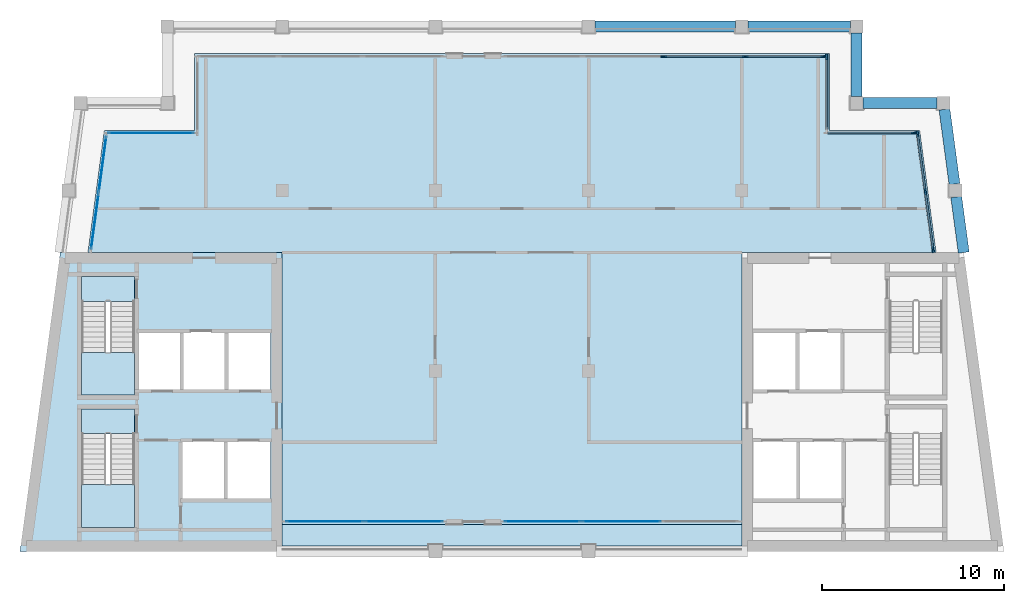
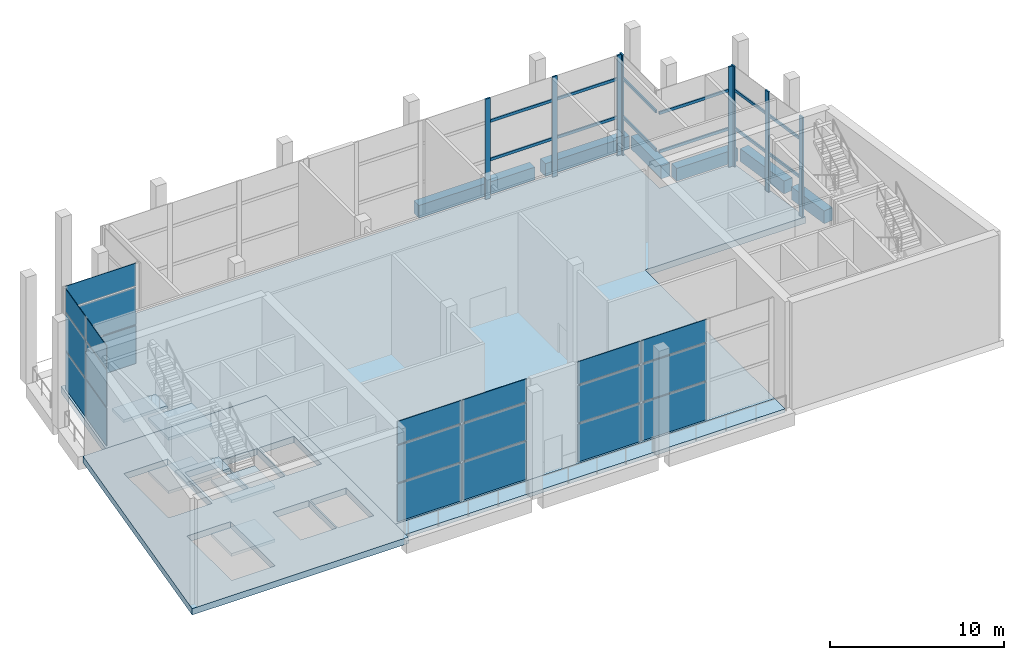
# One storey, part 2 of 9: 21 plates, 20 members, 9 slabs, 6 beams, 10 elements without a shape of their own.
"""IFC4 building model written with IfcOpenShell, lengths in metres."""

from ifc_helpers import new_model, si_unit, direction, frame, origin, origin_2d, place, context, subcontext, project, spatial, polyline, rectangle, outline, extrude, material, layer, layer_set, material_profile, profile_set, type_object, element, aggregate, save


model = new_model("IFC4")

# Units and contexts
model_context = context("Model", 3, precision=1e-05, world=origin(), true_north=direction((0.0, 1.0)))
body_context = subcontext(model_context, "Body", "Model", "MODEL_VIEW")
ifc_project = project(units=[si_unit("LENGTHUNIT", "METRE"), si_unit("AREAUNIT", "SQUARE_METRE"), si_unit("VOLUMEUNIT", "CUBIC_METRE"), si_unit("PLANEANGLEUNIT", "RADIAN"), si_unit("MASSUNIT", "GRAM", prefix="KILO")], contexts=[model_context])

# Site, building, storey
site_placement = place(None, origin())
site = spatial("IfcSite", under=ifc_project, at=site_placement, CompositionType="ELEMENT")
building_placement = place(site_placement, origin())
building = spatial("IfcBuilding", under=site, at=building_placement, Name="Candeia Pilgrim Tower and Theatre", CompositionType="ELEMENT")
storey_placement = place(building_placement, frame((0.0, 0.0, 307.89990234375)))
storey = spatial("IfcBuildingStorey", under=building, at=storey_placement, Name="L75", CompositionType="ELEMENT", Elevation=307.89990234375)

# Curtain wall, members
ifc_material_1 = material(Name="Aluminium framed observation glazing", Category="aluminium")
curtain_wall_type = type_object("IfcCurtainWallType", Name="CW-C curtain wall", PredefinedType="NOTDEFINED", material=ifc_material_1)
curtain_wall_1_placement = place(storey_placement, origin())
curtain_wall_1 = element("IfcCurtainWall", 1, at=curtain_wall_1_placement, inside=storey, type_object=curtain_wall_type, Name="Curtain wall CW-C L75.200", PredefinedType="NOTDEFINED")
ifc_material_2 = material(Name="Anodised aluminium", Category="aluminium")
ifc_material_profile_1 = material_profile(ifc_material_2, rectangle(XDim=0.10009765625, YDim=0.320068359375, at=origin_2d()))
ifc_profile_set_1 = profile_set([ifc_material_profile_1], Name="Anodised aluminium")
member_type_1 = type_object("IfcMemberType", Name="CW-C mullion 100x320", PredefinedType="MULLION", material=ifc_profile_set_1)
member_1_placement = place(storey_placement, frame((136.48291015625, 132.55859375, 0.0), z_axis=(0.0, 0.0, 1.0), x_axis=(-0.991060661622, -0.133412012145, 0.0)))
member_1 = element("IfcMember", 2, at=member_1_placement, type_object=member_type_1, Name="CW-C mullion 1", PredefinedType="MULLION", context=body_context, shape_type="SweptSolid", body=[
    extrude(rectangle(XDim=0.10009765625, YDim=0.320068359375, at=origin_2d()), origin(), (0.0, 0.0, 1.0), 7.050048828125),
])
member_2_placement = place(storey_placement, frame((136.0546875, 135.739990234375, 0.0), z_axis=(0.0, 0.0, 1.0), x_axis=(-0.991060661622, -0.133412012145, 0.0)))
member_2 = element("IfcMember", 3, at=member_2_placement, type_object=member_type_1, Name="CW-C mullion 2", PredefinedType="MULLION", context=body_context, shape_type="SweptSolid", body=[
    extrude(rectangle(XDim=0.10009765625, YDim=0.320068359375, at=origin_2d()), origin(), (0.0, 0.0, 1.0), 7.050048828125),
])
member_3_placement = place(storey_placement, frame((135.62646484375, 138.92138671875, 0.0), z_axis=(0.0, 0.0, 1.0), x_axis=(-0.991060661622, -0.133412012145, 0.0)))
member_3 = element("IfcMember", 4, at=member_3_placement, type_object=member_type_1, Name="CW-C mullion 3", PredefinedType="MULLION", context=body_context, shape_type="SweptSolid", body=[
    extrude(rectangle(XDim=0.10009765625, YDim=0.320068359375, at=origin_2d()), origin(), (0.0, 0.0, 1.0), 7.050048828125),
])

# Curtain wall, member
curtain_wall_2_placement = place(storey_placement, origin())
curtain_wall_2 = element("IfcCurtainWall", 5, at=curtain_wall_2_placement, inside=storey, type_object=curtain_wall_type, Name="Curtain wall CW-C L75.300", PredefinedType="NOTDEFINED")
member_4_placement = place(storey_placement, frame((135.462646484375, 138.949951171875, 0.0), z_axis=(0.0, 0.0, 1.0), x_axis=(0.0, -1.0, 0.0)))
member_4 = element("IfcMember", 6, at=member_4_placement, type_object=member_type_1, Name="CW-C mullion 1", PredefinedType="MULLION", context=body_context, shape_type="SweptSolid", body=[
    extrude(rectangle(XDim=0.10009765625, YDim=0.320068359375, at=origin_2d()), origin(), (0.0, 0.0, 1.0), 7.050048828125),
])

curtain_wall_3_placement = place(storey_placement, origin())
curtain_wall_3 = element("IfcCurtainWall", 7, at=curtain_wall_3_placement, inside=storey, type_object=curtain_wall_type, Name="Curtain wall CW-C L75.400", PredefinedType="NOTDEFINED")
member_5_placement = place(storey_placement, frame((130.64990234375, 143.139892578125, 0.0), z_axis=(0.0, 0.0, 1.0), x_axis=(-1.0, 0.0, 0.0)))
member_5 = element("IfcMember", 8, at=member_5_placement, type_object=member_type_1, Name="CW-C mullion 2", PredefinedType="MULLION", context=body_context, shape_type="SweptSolid", body=[
    extrude(rectangle(XDim=0.10009765625, YDim=0.320068359375, at=origin_2d()), origin(), (0.0, 0.0, 1.0), 7.050048828125),
])

# Curtain wall, members
curtain_wall_4_placement = place(storey_placement, origin())
curtain_wall_4 = element("IfcCurtainWall", 9, at=curtain_wall_4_placement, inside=storey, type_object=curtain_wall_type, Name="Curtain wall CW-C L75.500", PredefinedType="NOTDEFINED")
member_6_placement = place(storey_placement, frame((130.489990234375, 143.14990234375, 0.0), z_axis=(0.0, 0.0, 1.0), x_axis=(0.0, -1.0, 0.0)))
member_6 = element("IfcMember", 10, at=member_6_placement, type_object=member_type_1, Name="CW-C mullion 1", PredefinedType="MULLION", context=body_context, shape_type="SweptSolid", body=[
    extrude(rectangle(XDim=0.10009765625, YDim=0.320068359375, at=origin_2d()), origin(), (0.0, 0.0, 1.0), 7.050048828125),
])
member_7_placement = place(storey_placement, frame((126.1875, 143.14990234375, 0.0), z_axis=(0.0, 0.0, 1.0), x_axis=(0.0, -1.0, 0.0)))
member_7 = element("IfcMember", 11, at=member_7_placement, type_object=member_type_1, Name="CW-C mullion 2", PredefinedType="MULLION", context=body_context, shape_type="SweptSolid", body=[
    extrude(rectangle(XDim=0.10009765625, YDim=0.320068359375, at=origin_2d()), origin(), (0.0, 0.0, 1.0), 7.050048828125),
])
member_8_placement = place(storey_placement, frame((121.72509765625, 143.14990234375, 0.0), z_axis=(0.0, 0.0, 1.0), x_axis=(0.0, -1.0, 0.0)))
member_8 = element("IfcMember", 12, at=member_8_placement, type_object=member_type_1, Name="CW-C mullion 3", PredefinedType="MULLION", context=body_context, shape_type="SweptSolid", body=[
    extrude(rectangle(XDim=0.10009765625, YDim=0.320068359375, at=origin_2d()), origin(), (0.0, 0.0, 1.0), 7.050048828125),
])

# Member
ifc_material_profile_2 = material_profile(ifc_material_2, rectangle(XDim=0.10009765625, YDim=0.199951171875, at=origin_2d()))
ifc_profile_set_2 = profile_set([ifc_material_profile_2], Name="Anodised aluminium")
member_type_2 = type_object("IfcMemberType", Name="CW-C transom 100x200", PredefinedType="USERDEFINED", material=ifc_profile_set_2)
member_9_placement = place(storey_placement, frame((136.476318359375, 132.608154296875, 2.7001953125), z_axis=(-0.133371977745, 0.991066050045, 0.0), x_axis=(-0.991066050045, -0.133371977745, 0.0)))
member_9 = element("IfcMember", 13, at=member_9_placement, type_object=member_type_2, Name="CW-C transom 1.1", ObjectType="TRANSOM", PredefinedType="USERDEFINED", context=body_context, shape_type="SweptSolid", body=[
    extrude(rectangle(XDim=0.10009765625, YDim=0.199951171875, at=origin_2d()), origin(), (0.0, 0.0, 1.0), 3.110107421875),
])

member_10_placement = place(storey_placement, frame((136.476318359375, 132.608154296875, 5.400146484375), z_axis=(-0.133371977745, 0.991066050045, 0.0), x_axis=(-0.991066050045, -0.133371977745, 0.0)))
member_10 = element("IfcMember", 14, at=member_10_placement, type_object=member_type_2, Name="CW-C transom 1.2", ObjectType="TRANSOM", PredefinedType="USERDEFINED", context=body_context, shape_type="SweptSolid", body=[
    extrude(rectangle(XDim=0.10009765625, YDim=0.199951171875, at=origin_2d()), origin(), (0.0, 0.0, 1.0), 3.110107421875),
])

member_11_placement = place(storey_placement, frame((136.048095703125, 135.78955078125, 2.7001953125), z_axis=(-0.133449080445, 0.991055670953, 0.0), x_axis=(-0.991055670953, -0.133449080445, 0.0)))
member_11 = element("IfcMember", 15, at=member_11_placement, type_object=member_type_2, Name="CW-C transom 2.1", ObjectType="TRANSOM", PredefinedType="USERDEFINED", context=body_context, shape_type="SweptSolid", body=[
    extrude(rectangle(XDim=0.10009765625, YDim=0.199951171875, at=origin_2d()), origin(), (0.0, 0.0, 1.0), 3.110107421875),
])

member_12_placement = place(storey_placement, frame((136.048095703125, 135.78955078125, 5.400146484375), z_axis=(-0.133449080445, 0.991055670953, 0.0), x_axis=(-0.991055670953, -0.133449080445, 0.0)))
member_12 = element("IfcMember", 16, at=member_12_placement, type_object=member_type_2, Name="CW-C transom 2.2", ObjectType="TRANSOM", PredefinedType="USERDEFINED", context=body_context, shape_type="SweptSolid", body=[
    extrude(rectangle(XDim=0.10009765625, YDim=0.199951171875, at=origin_2d()), origin(), (0.0, 0.0, 1.0), 3.110107421875),
])

aggregate(curtain_wall_1, [member_1, member_2, member_3, member_9, member_10, member_11, member_12])

member_13_placement = place(storey_placement, frame((135.41259765625, 138.949951171875, 2.7001953125), z_axis=(-1.0, 0.0, 0.0), x_axis=(0.0, -1.0, 0.0)))
member_13 = element("IfcMember", 17, at=member_13_placement, type_object=member_type_2, Name="CW-C transom 1.1", ObjectType="TRANSOM", PredefinedType="USERDEFINED", context=body_context, shape_type="SweptSolid", body=[
    extrude(rectangle(XDim=0.10009765625, YDim=0.199951171875, at=origin_2d()), origin(), (0.0, 0.0, 1.0), 4.70263671875),
])

member_14_placement = place(storey_placement, frame((135.41259765625, 138.949951171875, 5.400146484375), z_axis=(-1.0, 0.0, 0.0), x_axis=(0.0, -1.0, 0.0)))
member_14 = element("IfcMember", 18, at=member_14_placement, type_object=member_type_2, Name="CW-C transom 1.2", ObjectType="TRANSOM", PredefinedType="USERDEFINED", context=body_context, shape_type="SweptSolid", body=[
    extrude(rectangle(XDim=0.10009765625, YDim=0.199951171875, at=origin_2d()), origin(), (0.0, 0.0, 1.0), 4.70263671875),
])

aggregate(curtain_wall_2, [member_4, member_13, member_14])

member_15_placement = place(storey_placement, frame((130.64990234375, 139.159912109375, 2.7001953125), z_axis=(0.0, 1.0, 0.0), x_axis=(-1.0, 0.0, 0.0)))
member_15 = element("IfcMember", 19, at=member_15_placement, type_object=member_type_2, Name="CW-C transom 1.1", ObjectType="TRANSOM", PredefinedType="USERDEFINED", context=body_context, shape_type="SweptSolid", body=[
    extrude(rectangle(XDim=0.10009765625, YDim=0.199951171875, at=origin_2d()), origin(), (0.0, 0.0, 1.0), 3.93017578125),
])

member_16_placement = place(storey_placement, frame((130.64990234375, 139.159912109375, 5.400146484375), z_axis=(0.0, 1.0, 0.0), x_axis=(-1.0, 0.0, 0.0)))
member_16 = element("IfcMember", 20, at=member_16_placement, type_object=member_type_2, Name="CW-C transom 1.2", ObjectType="TRANSOM", PredefinedType="USERDEFINED", context=body_context, shape_type="SweptSolid", body=[
    extrude(rectangle(XDim=0.10009765625, YDim=0.199951171875, at=origin_2d()), origin(), (0.0, 0.0, 1.0), 3.93017578125),
])

aggregate(curtain_wall_3, [member_5, member_15, member_16])

member_17_placement = place(storey_placement, frame((130.43994140625, 143.14990234375, 2.7001953125), z_axis=(-1.0, 0.0, 0.0), x_axis=(0.0, -1.0, 0.0)))
member_17 = element("IfcMember", 21, at=member_17_placement, type_object=member_type_2, Name="CW-C transom 1.1", ObjectType="TRANSOM", PredefinedType="USERDEFINED", context=body_context, shape_type="SweptSolid", body=[
    extrude(rectangle(XDim=0.10009765625, YDim=0.199951171875, at=origin_2d()), origin(), (0.0, 0.0, 1.0), 4.202392578125),
])

member_18_placement = place(storey_placement, frame((130.43994140625, 143.14990234375, 5.400146484375), z_axis=(-1.0, 0.0, 0.0), x_axis=(0.0, -1.0, 0.0)))
member_18 = element("IfcMember", 22, at=member_18_placement, type_object=member_type_2, Name="CW-C transom 1.2", ObjectType="TRANSOM", PredefinedType="USERDEFINED", context=body_context, shape_type="SweptSolid", body=[
    extrude(rectangle(XDim=0.10009765625, YDim=0.199951171875, at=origin_2d()), origin(), (0.0, 0.0, 1.0), 4.202392578125),
])

member_19_placement = place(storey_placement, frame((126.137451171875, 143.14990234375, 2.7001953125), z_axis=(-1.0, 0.0, 0.0), x_axis=(0.0, -1.0, 0.0)))
member_19 = element("IfcMember", 23, at=member_19_placement, type_object=member_type_2, Name="CW-C transom 2.1", ObjectType="TRANSOM", PredefinedType="USERDEFINED", context=body_context, shape_type="SweptSolid", body=[
    extrude(rectangle(XDim=0.10009765625, YDim=0.199951171875, at=origin_2d()), origin(), (0.0, 0.0, 1.0), 4.362548828125),
])

member_20_placement = place(storey_placement, frame((126.137451171875, 143.14990234375, 5.400146484375), z_axis=(-1.0, 0.0, 0.0), x_axis=(0.0, -1.0, 0.0)))
member_20 = element("IfcMember", 24, at=member_20_placement, type_object=member_type_2, Name="CW-C transom 2.2", ObjectType="TRANSOM", PredefinedType="USERDEFINED", context=body_context, shape_type="SweptSolid", body=[
    extrude(rectangle(XDim=0.10009765625, YDim=0.199951171875, at=origin_2d()), origin(), (0.0, 0.0, 1.0), 4.362548828125),
])

aggregate(curtain_wall_4, [member_6, member_7, member_8, member_17, member_18, member_19, member_20])

# Beams
ifc_material_3 = material(Name="Concrete C40/50", Category="concrete")
ifc_material_profile_3 = material_profile(ifc_material_3, rectangle(XDim=0.60009765625, YDim=0.89990234375, at=origin_2d()))
ifc_profile_set_3 = profile_set([ifc_material_profile_3], Name="Concrete C40/50")
beam_type = type_object("IfcBeamType", Name="RC 600x900 C40/50", PredefinedType="BEAM", material=ifc_profile_set_3)
beam_1_placement = place(storey_placement, frame((117.949951171875, 144.800048828125, -0.449951171875), z_axis=(1.0, 0.0, 0.0), x_axis=(0.0, 1.0, 0.0)))
element("IfcBeam", 25, at=beam_1_placement, inside=storey, type_object=beam_type, Name="Spandrel beam L75-06", PredefinedType="BEAM", context=body_context, shape_type="SweptSolid", body=[
    extrude(rectangle(XDim=0.60009765625, YDim=0.89990234375, at=origin_2d()), origin(), (0.0, 0.0, 1.0), 7.699951171875),
])
beam_2_placement = place(storey_placement, frame((126.35009765625, 144.800048828125, -0.449951171875), z_axis=(1.0, 0.0, 0.0), x_axis=(0.0, 1.0, 0.0)))
element("IfcBeam", 26, at=beam_2_placement, inside=storey, type_object=beam_type, Name="Spandrel beam L75-07", PredefinedType="BEAM", context=body_context, shape_type="SweptSolid", body=[
    extrude(rectangle(XDim=0.60009765625, YDim=0.89990234375, at=origin_2d()), origin(), (0.0, 0.0, 1.0), 5.599853515625),
])
beam_3_placement = place(storey_placement, frame((132.300048828125, 144.449951171875, -0.449951171875), z_axis=(0.0, -1.0, 0.0), x_axis=(1.0, 0.0, 0.0)))
element("IfcBeam", 27, at=beam_3_placement, inside=storey, type_object=beam_type, Name="Spandrel beam L75-08", PredefinedType="BEAM", context=body_context, shape_type="SweptSolid", body=[
    extrude(rectangle(XDim=0.60009765625, YDim=0.89990234375, at=origin_2d()), origin(), (0.0, 0.0, 1.0), 3.5),
])
beam_4_placement = place(storey_placement, frame((132.64990234375, 140.60009765625, -0.449951171875), z_axis=(1.0, 0.0, 0.0), x_axis=(0.0, 1.0, 0.0)))
element("IfcBeam", 28, at=beam_4_placement, inside=storey, type_object=beam_type, Name="Spandrel beam L75-09", PredefinedType="BEAM", context=body_context, shape_type="SweptSolid", body=[
    extrude(rectangle(XDim=0.60009765625, YDim=0.89990234375, at=origin_2d()), origin(), (0.0, 0.0, 1.0), 4.0654296875),
])
beam_5_placement = place(storey_placement, frame((137.112548828125, 140.25, -0.449951171875), z_axis=(0.133369654618, -0.991066362676, 0.0), x_axis=(0.991066362676, 0.133369654618, 0.0)))
element("IfcBeam", 29, at=beam_5_placement, inside=storey, type_object=beam_type, Name="Spandrel beam L75-10", PredefinedType="BEAM", context=body_context, shape_type="SweptSolid", body=[
    extrude(rectangle(XDim=0.60009765625, YDim=0.89990234375, at=origin_2d()), origin(), (0.0, 0.0, 1.0), 4.136962890625),
])
beam_6_placement = place(storey_placement, frame((137.758544921875, 135.449951171875, -0.449951171875), z_axis=(0.133431491393, -0.991058039221, 0.0), x_axis=(0.991058039221, 0.133431491393, 0.0)))
element("IfcBeam", 30, at=beam_6_placement, inside=storey, type_object=beam_type, Name="Spandrel beam L75-11", PredefinedType="BEAM", context=body_context, shape_type="SweptSolid", body=[
    extrude(rectangle(XDim=0.60009765625, YDim=0.89990234375, at=origin_2d()), origin(), (0.0, 0.0, 1.0), 3.07763671875),
])

# Curtain wall, plates
curtain_wall_5_placement = place(storey_placement, origin())
curtain_wall_5 = element("IfcCurtainWall", 31, at=curtain_wall_5_placement, inside=storey, type_object=curtain_wall_type, Name="Curtain wall CW-C L75.000", PredefinedType="NOTDEFINED")
ifc_material_4 = material(Name="Laminated heat-soaked glass 2 x 10 mm", Category="glass")
ifc_layer_1 = layer(ifc_material_4, 0.0400390625)
ifc_layer_set_1 = layer_set([ifc_layer_1], Name="CW-C glass panel 40")
plate_type = type_object("IfcPlateType", Name="CW-C glass panel 40", PredefinedType="CURTAIN_PANEL", material=ifc_layer_set_1)
plate_1_placement = place(storey_placement, frame((90.9462890625, 137.233154296875, 0.000244140625), z_axis=(0.0, 0.0, 1.0), x_axis=(-0.133412012145, -0.991060661622, 0.0)))
plate_1 = element("IfcPlate", 32, at=plate_1_placement, type_object=plate_type, Name="CW-C panel 1.1", PredefinedType="CURTAIN_PANEL", context=body_context, shape_type="SweptSolid", body=[
    extrude(rectangle(XDim=3.04443359375, YDim=0.0400390625, at=origin_2d()), origin(), (0.0, 0.0, 1.0), 2.64990234375),
])
plate_2_placement = place(storey_placement, frame((90.9462890625, 137.233154296875, 2.75), z_axis=(0.0, 0.0, 1.0), x_axis=(-0.133412012145, -0.991060661622, 0.0)))
plate_2 = element("IfcPlate", 33, at=plate_2_placement, type_object=plate_type, Name="CW-C panel 1.2", PredefinedType="CURTAIN_PANEL", context=body_context, shape_type="SweptSolid", body=[
    extrude(rectangle(XDim=3.04443359375, YDim=0.0400390625, at=origin_2d()), origin(), (0.0, 0.0, 1.0), 2.60009765625),
])
plate_3_placement = place(storey_placement, frame((90.9462890625, 137.233154296875, 5.449951171875), z_axis=(0.0, 0.0, 1.0), x_axis=(-0.133412012145, -0.991060661622, 0.0)))
plate_3 = element("IfcPlate", 34, at=plate_3_placement, type_object=plate_type, Name="CW-C panel 1.3", PredefinedType="CURTAIN_PANEL", context=body_context, shape_type="SweptSolid", body=[
    extrude(rectangle(XDim=3.04443359375, YDim=0.0400390625, at=origin_2d()), origin(), (0.0, 0.0, 1.0), 1.60009765625),
])
plate_4_placement = place(storey_placement, frame((90.52685546875, 134.11669921875, 0.000244140625), z_axis=(0.0, 0.0, 1.0), x_axis=(-0.133412012145, -0.991060661622, 0.0)))
plate_4 = element("IfcPlate", 35, at=plate_4_placement, type_object=plate_type, Name="CW-C panel 2.1", PredefinedType="CURTAIN_PANEL", context=body_context, shape_type="SweptSolid", body=[
    extrude(rectangle(XDim=3.04443359375, YDim=0.0400390625, at=origin_2d()), origin(), (0.0, 0.0, 1.0), 2.64990234375),
])
plate_5_placement = place(storey_placement, frame((90.52685546875, 134.11669921875, 2.75), z_axis=(0.0, 0.0, 1.0), x_axis=(-0.133412012145, -0.991060661622, 0.0)))
plate_5 = element("IfcPlate", 36, at=plate_5_placement, type_object=plate_type, Name="CW-C panel 2.2", PredefinedType="CURTAIN_PANEL", context=body_context, shape_type="SweptSolid", body=[
    extrude(rectangle(XDim=3.04443359375, YDim=0.0400390625, at=origin_2d()), origin(), (0.0, 0.0, 1.0), 2.60009765625),
])
plate_6_placement = place(storey_placement, frame((90.52685546875, 134.11669921875, 5.449951171875), z_axis=(0.0, 0.0, 1.0), x_axis=(-0.133412012145, -0.991060661622, 0.0)))
plate_6 = element("IfcPlate", 37, at=plate_6_placement, type_object=plate_type, Name="CW-C panel 2.3", PredefinedType="CURTAIN_PANEL", context=body_context, shape_type="SweptSolid", body=[
    extrude(rectangle(XDim=3.04443359375, YDim=0.0400390625, at=origin_2d()), origin(), (0.0, 0.0, 1.0), 1.60009765625),
])
aggregate(curtain_wall_5, [plate_1, plate_2, plate_3, plate_4, plate_5, plate_6])

curtain_wall_6_placement = place(storey_placement, origin())
curtain_wall_6 = element("IfcCurtainWall", 38, at=curtain_wall_6_placement, inside=storey, type_object=curtain_wall_type, Name="Curtain wall CW-C L75.100", PredefinedType="NOTDEFINED")
plate_7_placement = place(storey_placement, frame((103.1298828125, 117.64990234375, 0.000244140625), z_axis=(0.0, 0.0, 1.0), x_axis=(1.0, 0.0, 0.0)))
plate_7 = element("IfcPlate", 39, at=plate_7_placement, type_object=plate_type, Name="CW-C panel 1.1", PredefinedType="CURTAIN_PANEL", context=body_context, shape_type="SweptSolid", body=[
    extrude(rectangle(XDim=4.239990234375, YDim=0.0400390625, at=origin_2d()), origin(), (0.0, 0.0, 1.0), 2.64990234375),
])
plate_8_placement = place(storey_placement, frame((103.1298828125, 117.64990234375, 2.75), z_axis=(0.0, 0.0, 1.0), x_axis=(1.0, 0.0, 0.0)))
plate_8 = element("IfcPlate", 40, at=plate_8_placement, type_object=plate_type, Name="CW-C panel 1.2", PredefinedType="CURTAIN_PANEL", context=body_context, shape_type="SweptSolid", body=[
    extrude(rectangle(XDim=4.239990234375, YDim=0.0400390625, at=origin_2d()), origin(), (0.0, 0.0, 1.0), 2.60009765625),
])
plate_9_placement = place(storey_placement, frame((103.1298828125, 117.64990234375, 5.449951171875), z_axis=(0.0, 0.0, 1.0), x_axis=(1.0, 0.0, 0.0)))
plate_9 = element("IfcPlate", 41, at=plate_9_placement, type_object=plate_type, Name="CW-C panel 1.3", PredefinedType="CURTAIN_PANEL", context=body_context, shape_type="SweptSolid", body=[
    extrude(rectangle(XDim=4.239990234375, YDim=0.0400390625, at=origin_2d()), origin(), (0.0, 0.0, 1.0), 1.60009765625),
])
plate_10_placement = place(storey_placement, frame((107.469970703125, 117.64990234375, 0.000244140625), z_axis=(0.0, 0.0, 1.0), x_axis=(1.0, 0.0, 0.0)))
plate_10 = element("IfcPlate", 42, at=plate_10_placement, type_object=plate_type, Name="CW-C panel 2.1", PredefinedType="CURTAIN_PANEL", context=body_context, shape_type="SweptSolid", body=[
    extrude(rectangle(XDim=4.239990234375, YDim=0.0400390625, at=origin_2d()), origin(), (0.0, 0.0, 1.0), 2.64990234375),
])
plate_11_placement = place(storey_placement, frame((107.469970703125, 117.64990234375, 2.75), z_axis=(0.0, 0.0, 1.0), x_axis=(1.0, 0.0, 0.0)))
plate_11 = element("IfcPlate", 43, at=plate_11_placement, type_object=plate_type, Name="CW-C panel 2.2", PredefinedType="CURTAIN_PANEL", context=body_context, shape_type="SweptSolid", body=[
    extrude(rectangle(XDim=4.239990234375, YDim=0.0400390625, at=origin_2d()), origin(), (0.0, 0.0, 1.0), 2.60009765625),
])
plate_12_placement = place(storey_placement, frame((107.469970703125, 117.64990234375, 5.449951171875), z_axis=(0.0, 0.0, 1.0), x_axis=(1.0, 0.0, 0.0)))
plate_12 = element("IfcPlate", 44, at=plate_12_placement, type_object=plate_type, Name="CW-C panel 2.3", PredefinedType="CURTAIN_PANEL", context=body_context, shape_type="SweptSolid", body=[
    extrude(rectangle(XDim=4.239990234375, YDim=0.0400390625, at=origin_2d()), origin(), (0.0, 0.0, 1.0), 1.60009765625),
])
aggregate(curtain_wall_6, [plate_7, plate_8, plate_9, plate_10, plate_11, plate_12])

curtain_wall_7_placement = place(storey_placement, origin())
curtain_wall_7 = element("IfcCurtainWall", 45, at=curtain_wall_7_placement, inside=storey, type_object=curtain_wall_type, Name="Curtain wall CW-C L75.102", PredefinedType="NOTDEFINED")
plate_13_placement = place(storey_placement, frame((115.080078125, 117.64990234375, 0.000244140625), z_axis=(0.0, 0.0, 1.0), x_axis=(1.0, 0.0, 0.0)))
plate_13 = element("IfcPlate", 46, at=plate_13_placement, type_object=plate_type, Name="CW-C panel 1.1", PredefinedType="CURTAIN_PANEL", context=body_context, shape_type="SweptSolid", body=[
    extrude(rectangle(XDim=4.139892578125, YDim=0.0400390625, at=origin_2d()), origin(), (0.0, 0.0, 1.0), 2.64990234375),
])
plate_14_placement = place(storey_placement, frame((115.080078125, 117.64990234375, 2.75), z_axis=(0.0, 0.0, 1.0), x_axis=(1.0, 0.0, 0.0)))
plate_14 = element("IfcPlate", 47, at=plate_14_placement, type_object=plate_type, Name="CW-C panel 1.2", PredefinedType="CURTAIN_PANEL", context=body_context, shape_type="SweptSolid", body=[
    extrude(rectangle(XDim=4.139892578125, YDim=0.0400390625, at=origin_2d()), origin(), (0.0, 0.0, 1.0), 2.60009765625),
])
plate_15_placement = place(storey_placement, frame((115.080078125, 117.64990234375, 5.449951171875), z_axis=(0.0, 0.0, 1.0), x_axis=(1.0, 0.0, 0.0)))
plate_15 = element("IfcPlate", 48, at=plate_15_placement, type_object=plate_type, Name="CW-C panel 1.3", PredefinedType="CURTAIN_PANEL", context=body_context, shape_type="SweptSolid", body=[
    extrude(rectangle(XDim=4.139892578125, YDim=0.0400390625, at=origin_2d()), origin(), (0.0, 0.0, 1.0), 1.60009765625),
])
plate_16_placement = place(storey_placement, frame((119.39990234375, 117.64990234375, 0.000244140625), z_axis=(0.0, 0.0, 1.0), x_axis=(1.0, 0.0, 0.0)))
plate_16 = element("IfcPlate", 49, at=plate_16_placement, type_object=plate_type, Name="CW-C panel 2.1", PredefinedType="CURTAIN_PANEL", context=body_context, shape_type="SweptSolid", body=[
    extrude(rectangle(XDim=4.300048828125, YDim=0.0400390625, at=origin_2d()), origin(), (0.0, 0.0, 1.0), 2.64990234375),
])
plate_17_placement = place(storey_placement, frame((119.39990234375, 117.64990234375, 2.75), z_axis=(0.0, 0.0, 1.0), x_axis=(1.0, 0.0, 0.0)))
plate_17 = element("IfcPlate", 50, at=plate_17_placement, type_object=plate_type, Name="CW-C panel 2.2", PredefinedType="CURTAIN_PANEL", context=body_context, shape_type="SweptSolid", body=[
    extrude(rectangle(XDim=4.300048828125, YDim=0.0400390625, at=origin_2d()), origin(), (0.0, 0.0, 1.0), 2.60009765625),
])
plate_18_placement = place(storey_placement, frame((119.39990234375, 117.64990234375, 5.449951171875), z_axis=(0.0, 0.0, 1.0), x_axis=(1.0, 0.0, 0.0)))
plate_18 = element("IfcPlate", 51, at=plate_18_placement, type_object=plate_type, Name="CW-C panel 2.3", PredefinedType="CURTAIN_PANEL", context=body_context, shape_type="SweptSolid", body=[
    extrude(rectangle(XDim=4.300048828125, YDim=0.0400390625, at=origin_2d()), origin(), (0.0, 0.0, 1.0), 1.60009765625),
])
aggregate(curtain_wall_7, [plate_13, plate_14, plate_15, plate_16, plate_17, plate_18])

curtain_wall_8_placement = place(storey_placement, origin())
curtain_wall_8 = element("IfcCurtainWall", 52, at=curtain_wall_8_placement, inside=storey, type_object=curtain_wall_type, Name="Curtain wall CW-C L75.700", PredefinedType="NOTDEFINED")
plate_19_placement = place(storey_placement, frame((93.59814453125, 138.949951171875, 0.000244140625), z_axis=(0.0, 0.0, 1.0), x_axis=(-1.0, 0.0, 0.0)))
plate_19 = element("IfcPlate", 53, at=plate_19_placement, type_object=plate_type, Name="CW-C panel 1.1", PredefinedType="CURTAIN_PANEL", context=body_context, shape_type="SweptSolid", body=[
    extrude(rectangle(XDim=4.683837890625, YDim=0.0400390625, at=origin_2d()), origin(), (0.0, 0.0, 1.0), 2.64990234375),
])
plate_20_placement = place(storey_placement, frame((93.59814453125, 138.949951171875, 2.75), z_axis=(0.0, 0.0, 1.0), x_axis=(-1.0, 0.0, 0.0)))
plate_20 = element("IfcPlate", 54, at=plate_20_placement, type_object=plate_type, Name="CW-C panel 1.2", PredefinedType="CURTAIN_PANEL", context=body_context, shape_type="SweptSolid", body=[
    extrude(rectangle(XDim=4.683837890625, YDim=0.0400390625, at=origin_2d()), origin(), (0.0, 0.0, 1.0), 2.60009765625),
])
plate_21_placement = place(storey_placement, frame((93.59814453125, 138.949951171875, 5.449951171875), z_axis=(0.0, 0.0, 1.0), x_axis=(-1.0, 0.0, 0.0)))
plate_21 = element("IfcPlate", 55, at=plate_21_placement, type_object=plate_type, Name="CW-C panel 1.3", PredefinedType="CURTAIN_PANEL", context=body_context, shape_type="SweptSolid", body=[
    extrude(rectangle(XDim=4.683837890625, YDim=0.0400390625, at=origin_2d()), origin(), (0.0, 0.0, 1.0), 1.60009765625),
])
aggregate(curtain_wall_8, [plate_19, plate_20, plate_21])

# Slabs
ifc_material_5 = material(Name="Concrete C60/75", Category="concrete")
ifc_layer_2 = layer(ifc_material_5, 0.449951171875)
ifc_layer_set_2 = layer_set([ifc_layer_2], Name="FS-CORE 450 core floor")
slab_type_1 = type_object("IfcSlabType", Name="FS-CORE 450 core floor", PredefinedType="FLOOR", material=ifc_layer_set_2)
slab_1_placement = place(storey_placement, frame((0.0, 0.0, -0.449951171875)))
element("IfcSlab", 56, at=slab_1_placement, inside=storey, type_object=slab_type_1, Name="Core floor W L75", PredefinedType="FLOOR", context=body_context, shape_type="SweptSolid", body=[
    extrude(outline(polyline([(100.800048828125, 132.39990234375), (100.800048828125, 116.0), (86.423095703125, 116.0), (88.630859375, 132.39990234375), (100.800048828125, 132.39990234375)]), holes=[polyline([(97.763427734375, 122.050048828125), (97.763427734375, 118.85009765625), (100.14990234375, 118.85009765625), (100.14990234375, 122.050048828125), (97.763427734375, 122.050048828125)]), polyline([(97.792236328125, 128.050048828125), (97.792236328125, 124.85009765625), (100.14990234375, 124.85009765625), (100.14990234375, 128.050048828125), (97.792236328125, 128.050048828125)]), polyline([(95.334716796875, 128.050048828125), (95.334716796875, 124.85009765625), (97.6923828125, 124.85009765625), (97.6923828125, 128.050048828125), (95.334716796875, 128.050048828125)]), polyline([(95.277099609375, 122.050048828125), (95.277099609375, 118.85009765625), (97.66357421875, 118.85009765625), (97.66357421875, 122.050048828125), (95.277099609375, 122.050048828125)]), polyline([(92.876953125, 128.050048828125), (92.876953125, 124.85009765625), (95.234619140625, 124.85009765625), (95.234619140625, 128.050048828125), (92.876953125, 128.050048828125)]), polyline([(89.802001953125, 117.324951171875), (92.701904296875, 117.324951171875), (92.701904296875, 122.455078125), (89.802001953125, 122.455078125), (89.802001953125, 117.324951171875)]), polyline([(89.802001953125, 129.705078125), (89.802001953125, 124.574951171875), (92.701904296875, 124.574951171875), (92.701904296875, 129.705078125), (89.802001953125, 129.705078125)])]), origin(), (0.0, 0.0, 1.0), 0.449951171875),
])
ifc_material_6 = material(Name="Concrete C50/60", Category="concrete")
ifc_layer_3 = layer(ifc_material_6, 0.449951171875)
ifc_layer_set_3 = layer_set([ifc_layer_3], Name="Floor slab 450 C50/60")
slab_type_2 = type_object("IfcSlabType", Name="Floor slab 450 C50/60", PredefinedType="FLOOR", material=ifc_layer_set_3)
slab_2_placement = place(storey_placement, frame((0.0, 0.0, -0.449951171875)))
element("IfcSlab", 57, at=slab_2_placement, inside=storey, type_object=slab_type_2, Name="Floor slab L75", PredefinedType="FLOOR", context=body_context, shape_type="SweptSolid", body=[
    extrude(outline(polyline([(96.0, 139.10009765625), (96.0, 143.300048828125), (130.800048828125, 143.300048828125), (130.800048828125, 139.10009765625), (135.753662109375, 139.10009765625), (136.65576171875, 132.39990234375), (126.0, 132.39990234375), (126.0, 117.5), (100.800048828125, 117.5), (100.800048828125, 132.39990234375), (90.144287109375, 132.39990234375), (91.046142578125, 139.10009765625), (96.0, 139.10009765625)])), origin(), (0.0, 0.0, 1.0), 0.449951171875),
])
ifc_layer_4 = layer(ifc_material_3, 0.25)
ifc_layer_set_4 = layer_set([ifc_layer_4], Name="Loggia slab 250 C40/50")
slab_type_3 = type_object("IfcSlabType", Name="Loggia slab 250 C40/50", PredefinedType="FLOOR", material=ifc_layer_set_4)
slab_3_placement = place(storey_placement, frame((0.0, 0.0, -0.25)))
element("IfcSlab", 58, at=slab_3_placement, inside=storey, type_object=slab_type_3, Name="Loggia slab L75 1", PredefinedType="FLOOR", context=body_context, shape_type="SweptSolid", body=[
    extrude(outline(polyline([(100.800048828125, 117.5), (126.0, 117.5), (126.0, 116.300048828125), (100.800048828125, 116.300048828125), (100.800048828125, 117.5)])), origin(), (0.0, 0.0, 1.0), 0.25),
])

# Stair, slabs
stair_type = type_object("IfcStairType", Name="ST-TWR dog-leg escape stair", PredefinedType="HALF_TURN_STAIR", material=ifc_material_3)
stair_1_placement = place(storey_placement, origin())
stair_1 = element("IfcStair", 59, at=stair_1_placement, inside=storey, type_object=stair_type, Name="L75 Escape stair ST1", PredefinedType="HALF_TURN_STAIR")
ifc_layer_5 = layer(ifc_material_3, 0.199951171875)
ifc_layer_set_5 = layer_set([ifc_layer_5], Name="SL-LANDING stair landing")
slab_type_4 = type_object("IfcSlabType", Name="SL-LANDING stair landing", PredefinedType="LANDING", material=ifc_layer_set_5)
slab_4_placement = place(storey_placement, frame((0.0, 0.0, 1.675048828125)))
slab_4 = element("IfcSlab", 60, at=slab_4_placement, type_object=slab_type_4, Name="ST1 landing 1", PredefinedType="LANDING", context=body_context, shape_type="SweptSolid", body=[
    extrude(outline(polyline([(89.802001953125, 119.675048828125), (89.802001953125, 117.324951171875), (92.701904296875, 117.324951171875), (92.701904296875, 119.675048828125), (89.802001953125, 119.675048828125)])), origin(), (0.0, 0.0, 1.0), 0.199951171875),
])
slab_5_placement = place(storey_placement, frame((0.0, 0.0, 3.550048828125)))
slab_5 = element("IfcSlab", 61, at=slab_5_placement, type_object=slab_type_4, Name="ST1 landing 2", PredefinedType="LANDING", context=body_context, shape_type="SweptSolid", body=[
    extrude(outline(polyline([(89.802001953125, 123.824951171875), (89.802001953125, 122.47509765625), (92.701904296875, 122.47509765625), (92.701904296875, 123.824951171875), (89.802001953125, 123.824951171875)])), origin(), (0.0, 0.0, 1.0), 0.199951171875),
])
slab_6_placement = place(storey_placement, frame((0.0, 0.0, 5.425048828125)))
slab_6 = element("IfcSlab", 62, at=slab_6_placement, type_object=slab_type_4, Name="ST1 landing 3", PredefinedType="LANDING", context=body_context, shape_type="SweptSolid", body=[
    extrude(outline(polyline([(89.802001953125, 119.675048828125), (89.802001953125, 117.324951171875), (92.701904296875, 117.324951171875), (92.701904296875, 119.675048828125), (89.802001953125, 119.675048828125)])), origin(), (0.0, 0.0, 1.0), 0.199951171875),
])
aggregate(stair_1, [slab_4, slab_5, slab_6])

stair_2_placement = place(storey_placement, origin())
stair_2 = element("IfcStair", 63, at=stair_2_placement, inside=storey, type_object=stair_type, Name="L75 Escape stair ST2", PredefinedType="HALF_TURN_STAIR")
slab_7_placement = place(storey_placement, frame((0.0, 0.0, 1.675048828125)))
slab_7 = element("IfcSlab", 64, at=slab_7_placement, type_object=slab_type_4, Name="ST2 landing 1", PredefinedType="LANDING", context=body_context, shape_type="SweptSolid", body=[
    extrude(outline(polyline([(89.802001953125, 126.925048828125), (89.802001953125, 124.574951171875), (92.701904296875, 124.574951171875), (92.701904296875, 126.925048828125), (89.802001953125, 126.925048828125)])), origin(), (0.0, 0.0, 1.0), 0.199951171875),
])
slab_8_placement = place(storey_placement, frame((0.0, 0.0, 3.550048828125)))
slab_8 = element("IfcSlab", 65, at=slab_8_placement, type_object=slab_type_4, Name="ST2 landing 2", PredefinedType="LANDING", context=body_context, shape_type="SweptSolid", body=[
    extrude(outline(polyline([(89.802001953125, 131.074951171875), (89.802001953125, 129.72509765625), (92.701904296875, 129.72509765625), (92.701904296875, 131.074951171875), (89.802001953125, 131.074951171875)])), origin(), (0.0, 0.0, 1.0), 0.199951171875),
])
slab_9_placement = place(storey_placement, frame((0.0, 0.0, 5.425048828125)))
slab_9 = element("IfcSlab", 66, at=slab_9_placement, type_object=slab_type_4, Name="ST2 landing 3", PredefinedType="LANDING", context=body_context, shape_type="SweptSolid", body=[
    extrude(outline(polyline([(89.802001953125, 126.925048828125), (89.802001953125, 124.574951171875), (92.701904296875, 124.574951171875), (92.701904296875, 126.925048828125), (89.802001953125, 126.925048828125)])), origin(), (0.0, 0.0, 1.0), 0.199951171875),
])
aggregate(stair_2, [slab_7, slab_8, slab_9])

save(model, "model.ifc")
